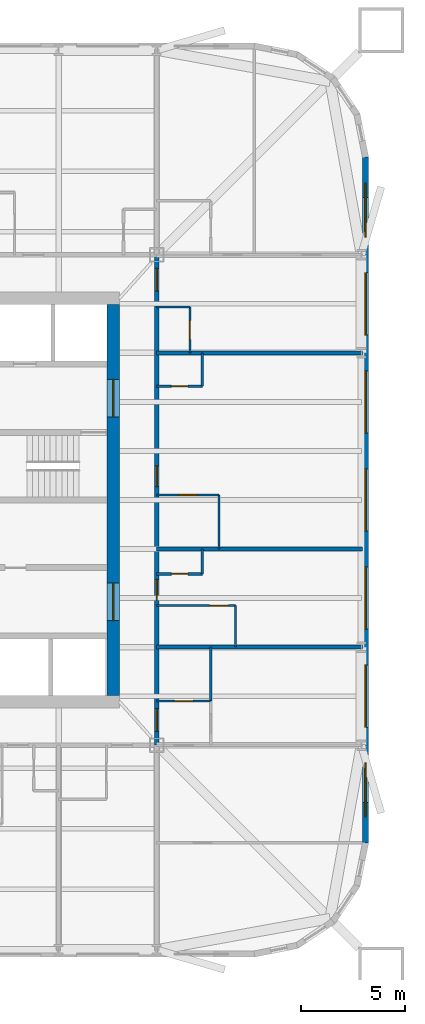
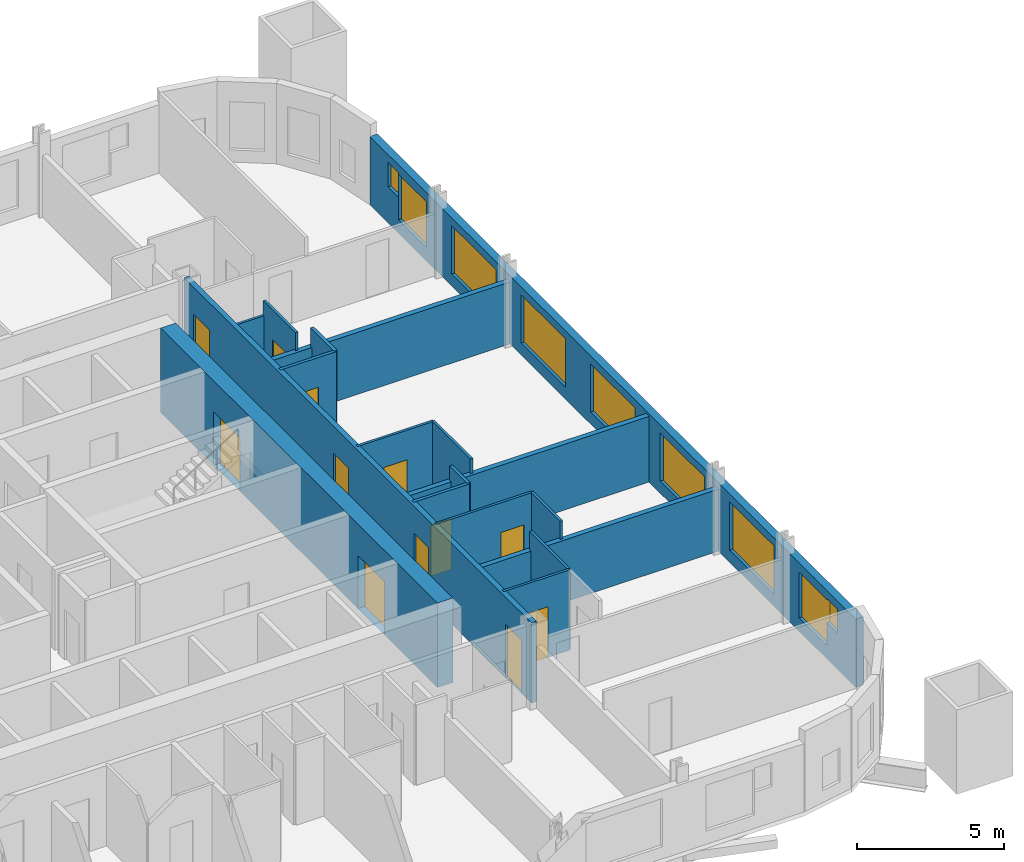
# One storey, part 6 of 10: 18 walls, 12 doors, 9 windows, 21 openings.
"""IFC4 building model written with IfcOpenShell, lengths in metres."""

from ifc_helpers import new_model, si_unit, direction, frame, frame_2d, origin, place, context, subcontext, project, spatial, rectangle, extrude, material, layer, layer_set, type_object, element, fill, save


model = new_model("IFC4")

# Units and contexts
model_context = context("Model", 3, precision=1e-05, world=origin(), true_north=direction((0.0, 1.0)))
body_context = subcontext(model_context, "Body", "Model", "MODEL_VIEW")
ifc_project = project(units=[si_unit("LENGTHUNIT", "METRE"), si_unit("AREAUNIT", "SQUARE_METRE"), si_unit("VOLUMEUNIT", "CUBIC_METRE"), si_unit("PLANEANGLEUNIT", "RADIAN"), si_unit("MASSUNIT", "GRAM", prefix="KILO")], contexts=[model_context])

# Site, building, storey
site_placement = place(None, origin())
site = spatial("IfcSite", under=ifc_project, at=site_placement, CompositionType="ELEMENT")
building_placement = place(site_placement, origin())
building = spatial("IfcBuilding", under=site, at=building_placement, Name="Turquesa Mirador Hotel Tower", CompositionType="ELEMENT")
storey_placement = place(building_placement, frame((0.0, 0.0, 77.5)))
storey = spatial("IfcBuildingStorey", under=building, at=storey_placement, Name="L20", CompositionType="ELEMENT", Elevation=77.5)

# Wall, opening, door
ifc_material_1 = material(Name="Gypsum board on steel studs", Category="steel")
ifc_layer_1 = layer(ifc_material_1, 0.10009765625)
ifc_layer_set_1 = layer_set([ifc_layer_1], Name="BATHROOM WALL 100")
wall_type_1 = type_object("IfcWallType", Name="BATHROOM WALL 100", PredefinedType="PARTITIONING", material=ifc_layer_set_1)
wall_1_placement = place(storey_placement, frame((66.800048828125, 39.919921875, 0.0), z_axis=(0.0, 0.0, 1.0), x_axis=(1.0, 0.0, 0.0)))
wall_1 = element("IfcWall", 1, at=wall_1_placement, inside=storey, type_object=wall_type_1, Name="Partition L20 017", PredefinedType="PARTITIONING", context=body_context, shape_type="SweptSolid", body=[
    extrude(rectangle(XDim=3.800048828125, YDim=0.10009765625, at=frame_2d((1.89990234375, 0.0))), origin(), (0.0, 0.0, 1.0), 3.330078125),
])
opening_1_placement = place(wall_1_placement, frame((2.550048828125, 0.0, 0.0)))
opening_1 = element("IfcOpeningElement", 2, at=opening_1_placement, cuts=wall_1, Name="Opening D02", PredefinedType="OPENING", context=body_context, shape_type="SweptSolid", body=[
    extrude(rectangle(XDim=0.89990234375, YDim=2.10009765625, at=frame_2d((0.449951171875, 1.050048828125))), frame((0.0, 0.06005859375, 0.0), z_axis=(0.0, -1.0, 0.0), x_axis=(1.0, 0.0, 0.0)), (0.0, 0.0, 1.0), 0.1201171875),
])
ifc_material_2 = material(Name="Timber veneered door", Category="wood")
door_type_1 = type_object("IfcDoorType", Name="DOOR 900X2100 EN-SUITE", OperationType="SINGLE_SWING_RIGHT", PredefinedType="DOOR", material=ifc_material_2)
door_1_placement = place(opening_1_placement, origin())
door_1 = element("IfcDoor", 3, at=door_1_placement, inside=storey, type_object=door_type_1, Name="Door 2008B", OperationType="SINGLE_SWING_RIGHT", OverallHeight=2.10009765625, OverallWidth=0.89990234375, PredefinedType="DOOR", context=body_context, shape_type="SweptSolid", body=[
    extrude(rectangle(XDim=0.89990234375, YDim=2.10009765625, at=frame_2d((0.449951171875, 1.050048828125))), frame((0.0, 0.02490234375, 0.0), z_axis=(0.0, -1.0, 0.0), x_axis=(1.0, 0.0, 0.0)), (0.0, 0.0, 1.0), 0.050048828125),
])
fill(opening_1, door_1)

wall_2_placement = place(storey_placement, frame((66.800048828125, 35.320068359375, 0.0), z_axis=(0.0, 0.0, 1.0), x_axis=(1.0, 0.0, 0.0)))
wall_2 = element("IfcWall", 4, at=wall_2_placement, inside=storey, type_object=wall_type_1, Name="Partition L20 021", PredefinedType="PARTITIONING", context=body_context, shape_type="SweptSolid", body=[
    extrude(rectangle(XDim=2.599853515625, YDim=0.10009765625, at=frame_2d((1.2998046875, 0.0))), origin(), (0.0, 0.0, 1.0), 3.330078125),
])
opening_2_placement = place(wall_2_placement, frame((0.85009765625, 0.0, 0.0)))
opening_2 = element("IfcOpeningElement", 5, at=opening_2_placement, cuts=wall_2, Name="Opening D02", PredefinedType="OPENING", context=body_context, shape_type="SweptSolid", body=[
    extrude(rectangle(XDim=0.89990234375, YDim=2.10009765625, at=frame_2d((0.449951171875, 1.050048828125))), frame((0.0, 0.06005859375, 0.0), z_axis=(0.0, -1.0, 0.0), x_axis=(1.0, 0.0, 0.0)), (0.0, 0.0, 1.0), 0.1201171875),
])
door_2_placement = place(opening_2_placement, origin())
door_2 = element("IfcDoor", 6, at=door_2_placement, inside=storey, type_object=door_type_1, Name="Door 2015B", OperationType="SINGLE_SWING_RIGHT", OverallHeight=2.10009765625, OverallWidth=0.89990234375, PredefinedType="DOOR", context=body_context, shape_type="SweptSolid", body=[
    extrude(rectangle(XDim=0.89990234375, YDim=2.10009765625, at=frame_2d((0.449951171875, 1.050048828125))), frame((0.0, 0.02490234375, 0.0), z_axis=(0.0, -1.0, 0.0), x_axis=(1.0, 0.0, 0.0)), (0.0, 0.0, 1.0), 0.050048828125),
])
fill(opening_2, door_2)

wall_3_placement = place(storey_placement, frame((66.800048828125, 45.239990234375, 0.0), z_axis=(0.0, 0.0, 1.0), x_axis=(1.0, 0.0, 0.0)))
wall_3 = element("IfcWall", 7, at=wall_3_placement, inside=storey, type_object=wall_type_1, Name="Partition L20 023", PredefinedType="PARTITIONING", context=body_context, shape_type="SweptSolid", body=[
    extrude(rectangle(XDim=3.0, YDim=0.10009765625, at=frame_2d((1.5, 0.0))), origin(), (0.0, 0.0, 1.0), 3.330078125),
])
opening_3_placement = place(wall_3_placement, frame((1.050048828125, 0.0, 0.0)))
opening_3 = element("IfcOpeningElement", 8, at=opening_3_placement, cuts=wall_3, Name="Opening D02", PredefinedType="OPENING", context=body_context, shape_type="SweptSolid", body=[
    extrude(rectangle(XDim=0.89990234375, YDim=2.10009765625, at=frame_2d((0.449951171875, 1.050048828125))), frame((0.0, 0.06005859375, 0.0), z_axis=(0.0, -1.0, 0.0), x_axis=(1.0, 0.0, 0.0)), (0.0, 0.0, 1.0), 0.1201171875),
])
door_3_placement = place(opening_3_placement, origin())
door_3 = element("IfcDoor", 9, at=door_3_placement, inside=storey, type_object=door_type_1, Name="Door 2009B", OperationType="SINGLE_SWING_RIGHT", OverallHeight=2.10009765625, OverallWidth=0.89990234375, PredefinedType="DOOR", context=body_context, shape_type="SweptSolid", body=[
    extrude(rectangle(XDim=0.89990234375, YDim=2.10009765625, at=frame_2d((0.449951171875, 1.050048828125))), frame((0.0, 0.02490234375, 0.0), z_axis=(0.0, -1.0, 0.0), x_axis=(1.0, 0.0, 0.0)), (0.0, 0.0, 1.0), 0.050048828125),
])
fill(opening_3, door_3)

# Wall
wall_4_placement = place(storey_placement, frame((66.800048828125, 54.280029296875, 0.0), z_axis=(0.0, 0.0, 1.0), x_axis=(1.0, 0.0, 0.0)))
element("IfcWall", 10, at=wall_4_placement, inside=storey, type_object=wall_type_1, Name="Partition L20 039", PredefinedType="PARTITIONING", context=body_context, shape_type="SweptSolid", body=[
    extrude(rectangle(XDim=1.599853515625, YDim=0.10009765625, at=frame_2d((0.7998046875, 0.0))), origin(), (0.0, 0.0, 1.0), 2.722900390625),
])

# Wall, opening, door
wall_5_placement = place(storey_placement, frame((68.39990234375, 52.080078125, 0.0), z_axis=(0.0, 0.0, 1.0), x_axis=(0.0, 1.0, 0.0)))
wall_5 = element("IfcWall", 11, at=wall_5_placement, inside=storey, type_object=wall_type_1, Name="Partition L20 064", PredefinedType="PARTITIONING", context=body_context, shape_type="SweptSolid", body=[
    extrude(rectangle(XDim=2.199951171875, YDim=0.10009765625, at=frame_2d((1.10009765625, 0.0))), origin(), (0.0, 0.0, 1.0), 3.330078125),
])
opening_4_placement = place(wall_5_placement, frame((0.64990234375, 0.0, 0.0)))
opening_4 = element("IfcOpeningElement", 12, at=opening_4_placement, cuts=wall_5, Name="Opening D06", PredefinedType="OPENING", context=body_context, shape_type="SweptSolid", body=[
    extrude(rectangle(XDim=0.89990234375, YDim=2.10009765625, at=frame_2d((0.449951171875, 1.050048828125))), frame((0.0, 0.06005859375, 0.0), z_axis=(0.0, -1.0, 0.0), x_axis=(1.0, 0.0, 0.0)), (0.0, 0.0, 1.0), 0.1201171875),
])
ifc_material_3 = material(Name="Laminate door", Category="wood")
door_type_2 = type_object("IfcDoorType", Name="DOOR 900X2100 WC", OperationType="SINGLE_SWING_LEFT", PredefinedType="DOOR", material=ifc_material_3)
door_4_placement = place(opening_4_placement, origin())
door_4 = element("IfcDoor", 13, at=door_4_placement, inside=storey, type_object=door_type_2, Name="Door 2012W", OperationType="SINGLE_SWING_LEFT", OverallHeight=2.10009765625, OverallWidth=0.89990234375, PredefinedType="DOOR", context=body_context, shape_type="SweptSolid", body=[
    extrude(rectangle(XDim=0.89990234375, YDim=2.10009765625, at=frame_2d((0.449951171875, 1.050048828125))), frame((0.0, 0.02490234375, 0.0), z_axis=(0.0, -1.0, 0.0), x_axis=(1.0, 0.0, 0.0)), (0.0, 0.0, 1.0), 0.050048828125),
])
fill(opening_4, door_4)

# Walls
wall_6_placement = place(storey_placement, frame((69.39990234375, 35.320068359375, 0.0), z_axis=(0.0, 0.0, 1.0), x_axis=(0.0, 1.0, 0.0)))
element("IfcWall", 14, at=wall_6_placement, inside=storey, type_object=wall_type_1, Name="Partition L20 067", PredefinedType="PARTITIONING", context=body_context, shape_type="SweptSolid", body=[
    extrude(rectangle(XDim=2.599853515625, YDim=0.10009765625, at=frame_2d((1.2998046875, 0.0))), origin(), (0.0, 0.0, 1.0), 3.330078125),
])
wall_7_placement = place(storey_placement, frame((69.800048828125, 42.639892578125, 0.0), z_axis=(0.0, 0.0, 1.0), x_axis=(0.0, 1.0, 0.0)))
element("IfcWall", 15, at=wall_7_placement, inside=storey, type_object=wall_type_1, Name="Partition L20 070", PredefinedType="PARTITIONING", context=body_context, shape_type="SweptSolid", body=[
    extrude(rectangle(XDim=2.60009765625, YDim=0.10009765625, at=frame_2d((1.300048828125, 0.0))), origin(), (0.0, 0.0, 1.0), 3.330078125),
])
wall_8_placement = place(storey_placement, frame((70.60009765625, 37.919921875, 0.0), z_axis=(0.0, 0.0, 1.0), x_axis=(0.0, 1.0, 0.0)))
element("IfcWall", 16, at=wall_8_placement, inside=storey, type_object=wall_type_1, Name="Partition L20 071", PredefinedType="PARTITIONING", context=body_context, shape_type="SweptSolid", body=[
    extrude(rectangle(XDim=2.0, YDim=0.10009765625, at=frame_2d((1.0, 0.0))), origin(), (0.0, 0.0, 1.0), 3.330078125),
])

# Wall, openings, doors
ifc_material_4 = material(Name="Concrete C50/60", Category="concrete")
ifc_layer_2 = layer(ifc_material_4, 0.60009765625)
ifc_layer_set_2 = layer_set([ifc_layer_2], Name="CORE WALL 600")
wall_type_2 = type_object("IfcWallType", Name="CORE WALL 600", PredefinedType="SHEAR", material=ifc_layer_set_2)
wall_9_placement = place(storey_placement, frame((64.699951171875, 35.60009765625, 0.0), z_axis=(0.0, 0.0, 1.0), x_axis=(0.0, 1.0, 0.0)))
wall_9 = element("IfcWall", 17, at=wall_9_placement, inside=storey, type_object=wall_type_2, Name="Core wall E", PredefinedType="SHEAR", context=body_context, shape_type="SweptSolid", body=[
    extrude(rectangle(XDim=18.7998046875, YDim=0.60009765625, at=frame_2d((9.39990234375, 0.0))), origin(), (0.0, 0.0, 1.0), 3.5),
])
opening_5_placement = place(wall_9_placement, frame((13.39990234375, 0.0, 0.0)))
opening_5 = element("IfcOpeningElement", 18, at=opening_5_placement, cuts=wall_9, Name="Opening D04", PredefinedType="OPENING", context=body_context, shape_type="SweptSolid", body=[
    extrude(rectangle(XDim=1.800048828125, YDim=2.199951171875, at=frame_2d((0.89990234375, 1.10009765625))), frame((0.0, 0.31005859375, 0.0), z_axis=(0.0, -1.0, 0.0), x_axis=(1.0, 0.0, 0.0)), (0.0, 0.0, 1.0), 0.6201171875),
])
opening_6_placement = place(wall_9_placement, frame((3.60009765625, 0.0, 0.0)))
opening_6 = element("IfcOpeningElement", 19, at=opening_6_placement, cuts=wall_9, Name="Opening D04", PredefinedType="OPENING", context=body_context, shape_type="SweptSolid", body=[
    extrude(rectangle(XDim=1.800048828125, YDim=2.199951171875, at=frame_2d((0.89990234375, 1.10009765625))), frame((0.0, 0.31005859375, 0.0), z_axis=(0.0, -1.0, 0.0), x_axis=(1.0, 0.0, 0.0)), (0.0, 0.0, 1.0), 0.6201171875),
])
ifc_material_5 = material(Name="Steel fire door pair", Category="steel")
door_type_3 = type_object("IfcDoorType", Name="DOOR 1800X2200 PAIR", OperationType="DOUBLE_DOOR_SINGLE_SWING", PredefinedType="DOOR", material=ifc_material_5)
door_5_placement = place(opening_5_placement, origin())
door_5 = element("IfcDoor", 20, at=door_5_placement, inside=storey, type_object=door_type_3, Name="Firefighting lobby door", OperationType="DOUBLE_DOOR_SINGLE_SWING", OverallHeight=2.199951171875, OverallWidth=1.800048828125, PredefinedType="DOOR", context=body_context, shape_type="SweptSolid", body=[
    extrude(rectangle(XDim=1.800048828125, YDim=2.199951171875, at=frame_2d((0.89990234375, 1.10009765625))), frame((0.0, 0.02490234375, 0.0), z_axis=(0.0, -1.0, 0.0), x_axis=(1.0, 0.0, 0.0)), (0.0, 0.0, 1.0), 0.050048828125),
])
fill(opening_5, door_5)
door_6_placement = place(opening_6_placement, origin())
door_6 = element("IfcDoor", 21, at=door_6_placement, inside=storey, type_object=door_type_3, Name="South lift lobby door", OperationType="DOUBLE_DOOR_SINGLE_SWING", OverallHeight=2.199951171875, OverallWidth=1.800048828125, PredefinedType="DOOR", context=body_context, shape_type="SweptSolid", body=[
    extrude(rectangle(XDim=1.800048828125, YDim=2.199951171875, at=frame_2d((0.89990234375, 1.10009765625))), frame((0.0, 0.02490234375, 0.0), z_axis=(0.0, -1.0, 0.0), x_axis=(1.0, 0.0, 0.0)), (0.0, 0.0, 1.0), 0.050048828125),
])
fill(opening_6, door_6)

ifc_material_6 = material(Name="Fire-rated gypsum board on steel studs", Category="steel")
ifc_layer_3 = layer(ifc_material_6, 0.199951171875)
ifc_layer_set_3 = layer_set([ifc_layer_3], Name="CORRIDOR WALL 200")
wall_type_3 = type_object("IfcWallType", Name="CORRIDOR WALL 200", PredefinedType="PARTITIONING", material=ifc_layer_set_3)
wall_10_placement = place(storey_placement, frame((66.800048828125, 33.199951171875, 0.0), z_axis=(0.0, 0.0, 1.0), x_axis=(0.0, 1.0, 0.0)))
wall_10 = element("IfcWall", 22, at=wall_10_placement, inside=storey, type_object=wall_type_3, Name="Partition L20 061", PredefinedType="PARTITIONING", context=body_context, shape_type="SweptSolid", body=[
    extrude(rectangle(XDim=23.60009765625, YDim=0.199951171875, at=frame_2d((11.800048828125, 0.0))), origin(), (0.0, 0.0, 1.0), 3.330078125),
])
opening_7_placement = place(wall_10_placement, frame((6.97998046875, 0.0, 0.0)))
opening_7 = element("IfcOpeningElement", 23, at=opening_7_placement, cuts=wall_10, Name="Opening D01", PredefinedType="OPENING", context=body_context, shape_type="SweptSolid", body=[
    extrude(rectangle(XDim=1.0, YDim=2.199951171875, at=frame_2d((0.5, 1.10009765625))), frame((0.0, 0.10986328125, 0.0), z_axis=(0.0, -1.0, 0.0), x_axis=(1.0, 0.0, 0.0)), (0.0, 0.0, 1.0), 0.219970703125),
])
opening_8_placement = place(wall_10_placement, frame((12.43994140625, 0.0, 0.0)))
opening_8 = element("IfcOpeningElement", 24, at=opening_8_placement, cuts=wall_10, Name="Opening D01", PredefinedType="OPENING", context=body_context, shape_type="SweptSolid", body=[
    extrude(rectangle(XDim=1.0, YDim=2.199951171875, at=frame_2d((0.5, 1.10009765625))), frame((0.0, 0.10986328125, 0.0), z_axis=(0.0, -1.0, 0.0), x_axis=(1.0, 0.0, 0.0)), (0.0, 0.0, 1.0), 0.219970703125),
])
opening_9_placement = place(wall_10_placement, frame((21.85009765625, 0.0, 0.0)))
opening_9 = element("IfcOpeningElement", 25, at=opening_9_placement, cuts=wall_10, Name="Opening D15", PredefinedType="OPENING", context=body_context, shape_type="SweptSolid", body=[
    extrude(rectangle(XDim=1.10009765625, YDim=2.199951171875, at=frame_2d((0.550048828125, 1.10009765625))), frame((0.0, 0.10986328125, 0.0), z_axis=(0.0, -1.0, 0.0), x_axis=(1.0, 0.0, 0.0)), (0.0, 0.0, 1.0), 0.219970703125),
])
opening_10_placement = place(wall_10_placement, frame((0.659912109375, 0.0, 0.0)))
opening_10 = element("IfcOpeningElement", 26, at=opening_10_placement, cuts=wall_10, Name="Opening D15", PredefinedType="OPENING", context=body_context, shape_type="SweptSolid", body=[
    extrude(rectangle(XDim=1.10009765625, YDim=2.199951171875, at=frame_2d((0.550048828125, 1.10009765625))), frame((0.0, 0.10986328125, 0.0), z_axis=(0.0, -1.0, 0.0), x_axis=(1.0, 0.0, 0.0)), (0.0, 0.0, 1.0), 0.219970703125),
])
ifc_material_7 = material(Name="Timber veneered fire door", Category="wood")
door_type_4 = type_object("IfcDoorType", Name="DOOR 1000X2200 GUEST ENTRY", OperationType="SINGLE_SWING_LEFT", PredefinedType="DOOR", material=ifc_material_7)
door_7_placement = place(opening_7_placement, origin())
door_7 = element("IfcDoor", 27, at=door_7_placement, inside=storey, type_object=door_type_4, Name="Door 2008", OperationType="SINGLE_SWING_LEFT", OverallHeight=2.199951171875, OverallWidth=1.0, PredefinedType="DOOR", context=body_context, shape_type="SweptSolid", body=[
    extrude(rectangle(XDim=1.0, YDim=2.199951171875, at=frame_2d((0.5, 1.10009765625))), frame((0.0, 0.02490234375, 0.0), z_axis=(0.0, -1.0, 0.0), x_axis=(1.0, 0.0, 0.0)), (0.0, 0.0, 1.0), 0.050048828125),
])
fill(opening_7, door_7)
door_8_placement = place(opening_8_placement, origin())
door_8 = element("IfcDoor", 28, at=door_8_placement, inside=storey, type_object=door_type_4, Name="Door 2009", OperationType="SINGLE_SWING_LEFT", OverallHeight=2.199951171875, OverallWidth=1.0, PredefinedType="DOOR", context=body_context, shape_type="SweptSolid", body=[
    extrude(rectangle(XDim=1.0, YDim=2.199951171875, at=frame_2d((0.5, 1.10009765625))), frame((0.0, 0.02490234375, 0.0), z_axis=(0.0, -1.0, 0.0), x_axis=(1.0, 0.0, 0.0)), (0.0, 0.0, 1.0), 0.050048828125),
])
fill(opening_8, door_8)
ifc_material_8 = material(Name="Timber veneered fire door", Category="wood")
door_type_5 = type_object("IfcDoorType", Name="DOOR 1100X2200 SUITE ENTRY", OperationType="SINGLE_SWING_LEFT", PredefinedType="DOOR", material=ifc_material_8)
door_9_placement = place(opening_9_placement, origin())
door_9 = element("IfcDoor", 29, at=door_9_placement, inside=storey, type_object=door_type_5, Name="Door 2012", OperationType="SINGLE_SWING_LEFT", OverallHeight=2.199951171875, OverallWidth=1.10009765625, PredefinedType="DOOR", context=body_context, shape_type="SweptSolid", body=[
    extrude(rectangle(XDim=1.10009765625, YDim=2.199951171875, at=frame_2d((0.550048828125, 1.10009765625))), frame((0.0, 0.02490234375, 0.0), z_axis=(0.0, -1.0, 0.0), x_axis=(1.0, 0.0, 0.0)), (0.0, 0.0, 1.0), 0.050048828125),
])
fill(opening_9, door_9)
door_10_placement = place(opening_10_placement, origin())
door_10 = element("IfcDoor", 30, at=door_10_placement, inside=storey, type_object=door_type_5, Name="Door 2015H", OperationType="SINGLE_SWING_LEFT", OverallHeight=2.199951171875, OverallWidth=1.10009765625, PredefinedType="DOOR", context=body_context, shape_type="SweptSolid", body=[
    extrude(rectangle(XDim=1.10009765625, YDim=2.199951171875, at=frame_2d((0.550048828125, 1.10009765625))), frame((0.0, 0.02490234375, 0.0), z_axis=(0.0, -1.0, 0.0), x_axis=(1.0, 0.0, 0.0)), (0.0, 0.0, 1.0), 0.050048828125),
])
fill(opening_10, door_10)

# Wall, openings, windows
ifc_material_9 = material(Name="Limestone cladding on concrete block", Category="masonry")
ifc_layer_4 = layer(ifc_material_9, 0.300048828125)
ifc_layer_set_4 = layer_set([ifc_layer_4], Name="FACADE WALL 300 STONE SCREEN")
wall_type_4 = type_object("IfcWallType", Name="FACADE WALL 300 STONE SCREEN", PredefinedType="SOLIDWALL", material=ifc_layer_set_4)
wall_11_placement = place(storey_placement, frame((76.85009765625, 28.5, 0.0), z_axis=(0.0, 0.0, 1.0), x_axis=(0.0, 1.0, 0.0)))
wall_11 = element("IfcWall", 31, at=wall_11_placement, inside=storey, type_object=wall_type_4, Name="Facade wall L20 04", PredefinedType="SOLIDWALL", context=body_context, shape_type="SweptSolid", body=[
    extrude(rectangle(XDim=33.0, YDim=0.300048828125, at=frame_2d((16.5, 0.0))), origin(), (0.0, 0.0, 1.0), 2.830078125),
])
opening_11_placement = place(wall_11_placement, frame((1.949951171875, 0.0, 0.550048828125)))
opening_11 = element("IfcOpeningElement", 32, at=opening_11_placement, cuts=wall_11, Name="Opening WN48", PredefinedType="OPENING", context=body_context, shape_type="SweptSolid", body=[
    extrude(rectangle(XDim=1.89990234375, YDim=1.89990234375, at=frame_2d((0.949951171875, 0.949951171875))), frame((0.0, 0.159912109375, 0.0), z_axis=(0.0, -1.0, 0.0), x_axis=(1.0, 0.0, 0.0)), (0.0, 0.0, 1.0), 0.320068359375),
])
opening_12_placement = place(wall_11_placement, frame((5.56005859375, 0.0, 0.5)))
opening_12 = element("IfcOpeningElement", 33, at=opening_12_placement, cuts=wall_11, Name="Opening WN1", PredefinedType="OPENING", context=body_context, shape_type="SweptSolid", body=[
    extrude(rectangle(XDim=3.0, YDim=2.0, at=frame_2d((1.5, 1.0))), frame((0.0, 0.159912109375, 0.0), z_axis=(0.0, -1.0, 0.0), x_axis=(1.0, 0.0, 0.0)), (0.0, 0.0, 1.0), 0.320068359375),
])
opening_13_placement = place(wall_11_placement, frame((10.280029296875, 0.0, 0.5)))
opening_13 = element("IfcOpeningElement", 34, at=opening_13_placement, cuts=wall_11, Name="Opening WN1", PredefinedType="OPENING", context=body_context, shape_type="SweptSolid", body=[
    extrude(rectangle(XDim=3.0, YDim=2.0, at=frame_2d((1.5, 1.0))), frame((0.0, 0.159912109375, 0.0), z_axis=(0.0, -1.0, 0.0), x_axis=(1.0, 0.0, 0.0)), (0.0, 0.0, 1.0), 0.320068359375),
])
opening_14_placement = place(wall_11_placement, frame((15.0, 0.0, 0.5)))
opening_14 = element("IfcOpeningElement", 35, at=opening_14_placement, cuts=wall_11, Name="Opening WN1", PredefinedType="OPENING", context=body_context, shape_type="SweptSolid", body=[
    extrude(rectangle(XDim=3.0, YDim=2.0, at=frame_2d((1.5, 1.0))), frame((0.0, 0.159912109375, 0.0), z_axis=(0.0, -1.0, 0.0), x_axis=(1.0, 0.0, 0.0)), (0.0, 0.0, 1.0), 0.320068359375),
])
opening_15_placement = place(wall_11_placement, frame((19.719970703125, 0.0, 0.5)))
opening_15 = element("IfcOpeningElement", 36, at=opening_15_placement, cuts=wall_11, Name="Opening WN1", PredefinedType="OPENING", context=body_context, shape_type="SweptSolid", body=[
    extrude(rectangle(XDim=3.0, YDim=2.0, at=frame_2d((1.5, 1.0))), frame((0.0, 0.159912109375, 0.0), z_axis=(0.0, -1.0, 0.0), x_axis=(1.0, 0.0, 0.0)), (0.0, 0.0, 1.0), 0.320068359375),
])
opening_16_placement = place(wall_11_placement, frame((24.43994140625, 0.0, 0.5)))
opening_16 = element("IfcOpeningElement", 37, at=opening_16_placement, cuts=wall_11, Name="Opening WN1", PredefinedType="OPENING", context=body_context, shape_type="SweptSolid", body=[
    extrude(rectangle(XDim=3.0, YDim=2.0, at=frame_2d((1.5, 1.0))), frame((0.0, 0.159912109375, 0.0), z_axis=(0.0, -1.0, 0.0), x_axis=(1.0, 0.0, 0.0)), (0.0, 0.0, 1.0), 0.320068359375),
])
opening_17_placement = place(wall_11_placement, frame((29.14990234375, 0.0, 0.550048828125)))
opening_17 = element("IfcOpeningElement", 38, at=opening_17_placement, cuts=wall_11, Name="Opening WN48", PredefinedType="OPENING", context=body_context, shape_type="SweptSolid", body=[
    extrude(rectangle(XDim=1.89990234375, YDim=1.89990234375, at=frame_2d((0.949951171875, 0.949951171875))), frame((0.0, 0.159912109375, 0.0), z_axis=(0.0, -1.0, 0.0), x_axis=(1.0, 0.0, 0.0)), (0.0, 0.0, 1.0), 0.320068359375),
])
opening_18_placement = place(wall_11_placement, frame((1.25, 0.0, 1.5)))
opening_18 = element("IfcOpeningElement", 39, at=opening_18_placement, cuts=wall_11, Name="Opening WN32", PredefinedType="OPENING", context=body_context, shape_type="SweptSolid", body=[
    extrude(rectangle(XDim=0.699951171875, YDim=1.0, at=frame_2d((0.35009765625, 0.5))), frame((0.0, 0.159912109375, 0.0), z_axis=(0.0, -1.0, 0.0), x_axis=(1.0, 0.0, 0.0)), (0.0, 0.0, 1.0), 0.320068359375),
])
opening_19_placement = place(wall_11_placement, frame((31.050048828125, 0.0, 1.5)))
opening_19 = element("IfcOpeningElement", 40, at=opening_19_placement, cuts=wall_11, Name="Opening WN32", PredefinedType="OPENING", context=body_context, shape_type="SweptSolid", body=[
    extrude(rectangle(XDim=0.699951171875, YDim=1.0, at=frame_2d((0.35009765625, 0.5))), frame((0.0, 0.159912109375, 0.0), z_axis=(0.0, -1.0, 0.0), x_axis=(1.0, 0.0, 0.0)), (0.0, 0.0, 1.0), 0.320068359375),
])
ifc_material_10 = material(Name="Ceramic-fritted laminated glass", Category="glass")
window_type_1 = type_object("IfcWindowType", Name="FRITTED WINDOW 1900X1900", PartitioningType="DOUBLE_PANEL_HORIZONTAL", PredefinedType="WINDOW", material=ifc_material_10)
window_1_placement = place(opening_11_placement, origin())
window_1 = element("IfcWindow", 41, at=window_1_placement, inside=storey, type_object=window_type_1, Name="Window L20", OverallHeight=1.89990234375, OverallWidth=1.89990234375, PartitioningType="SINGLE_PANEL", PredefinedType="WINDOW", context=body_context, shape_type="SweptSolid", body=[
    extrude(rectangle(XDim=1.89990234375, YDim=1.89990234375, at=frame_2d((0.949951171875, 0.949951171875))), frame((0.0, 0.030029296875, 0.0), z_axis=(0.0, -1.0, 0.0), x_axis=(1.0, 0.0, 0.0)), (0.0, 0.0, 1.0), 0.06005859375),
])
fill(opening_11, window_1)
window_2_placement = place(opening_17_placement, origin())
window_2 = element("IfcWindow", 42, at=window_2_placement, inside=storey, type_object=window_type_1, Name="Window L20", OverallHeight=1.89990234375, OverallWidth=1.89990234375, PartitioningType="SINGLE_PANEL", PredefinedType="WINDOW", context=body_context, shape_type="SweptSolid", body=[
    extrude(rectangle(XDim=1.89990234375, YDim=1.89990234375, at=frame_2d((0.949951171875, 0.949951171875))), frame((0.0, 0.030029296875, 0.0), z_axis=(0.0, -1.0, 0.0), x_axis=(1.0, 0.0, 0.0)), (0.0, 0.0, 1.0), 0.06005859375),
])
fill(opening_17, window_2)
ifc_material_11 = material(Name="Ceramic-fritted laminated glass", Category="glass")
window_type_2 = type_object("IfcWindowType", Name="FRITTED WINDOW 3000X2000", PartitioningType="DOUBLE_PANEL_HORIZONTAL", PredefinedType="WINDOW", material=ifc_material_11)
window_3_placement = place(opening_12_placement, origin())
window_3 = element("IfcWindow", 43, at=window_3_placement, inside=storey, type_object=window_type_2, Name="Window L20", OverallHeight=2.0, OverallWidth=3.0, PartitioningType="SINGLE_PANEL", PredefinedType="WINDOW", context=body_context, shape_type="SweptSolid", body=[
    extrude(rectangle(XDim=3.0, YDim=2.0, at=frame_2d((1.5, 1.0))), frame((0.0, 0.030029296875, 0.0), z_axis=(0.0, -1.0, 0.0), x_axis=(1.0, 0.0, 0.0)), (0.0, 0.0, 1.0), 0.06005859375),
])
fill(opening_12, window_3)
window_4_placement = place(opening_13_placement, origin())
window_4 = element("IfcWindow", 44, at=window_4_placement, inside=storey, type_object=window_type_2, Name="Window L20", OverallHeight=2.0, OverallWidth=3.0, PartitioningType="SINGLE_PANEL", PredefinedType="WINDOW", context=body_context, shape_type="SweptSolid", body=[
    extrude(rectangle(XDim=3.0, YDim=2.0, at=frame_2d((1.5, 1.0))), frame((0.0, 0.030029296875, 0.0), z_axis=(0.0, -1.0, 0.0), x_axis=(1.0, 0.0, 0.0)), (0.0, 0.0, 1.0), 0.06005859375),
])
fill(opening_13, window_4)
window_5_placement = place(opening_14_placement, origin())
window_5 = element("IfcWindow", 45, at=window_5_placement, inside=storey, type_object=window_type_2, Name="Window L20", OverallHeight=2.0, OverallWidth=3.0, PartitioningType="SINGLE_PANEL", PredefinedType="WINDOW", context=body_context, shape_type="SweptSolid", body=[
    extrude(rectangle(XDim=3.0, YDim=2.0, at=frame_2d((1.5, 1.0))), frame((0.0, 0.030029296875, 0.0), z_axis=(0.0, -1.0, 0.0), x_axis=(1.0, 0.0, 0.0)), (0.0, 0.0, 1.0), 0.06005859375),
])
fill(opening_14, window_5)
window_6_placement = place(opening_15_placement, origin())
window_6 = element("IfcWindow", 46, at=window_6_placement, inside=storey, type_object=window_type_2, Name="Window L20", OverallHeight=2.0, OverallWidth=3.0, PartitioningType="SINGLE_PANEL", PredefinedType="WINDOW", context=body_context, shape_type="SweptSolid", body=[
    extrude(rectangle(XDim=3.0, YDim=2.0, at=frame_2d((1.5, 1.0))), frame((0.0, 0.030029296875, 0.0), z_axis=(0.0, -1.0, 0.0), x_axis=(1.0, 0.0, 0.0)), (0.0, 0.0, 1.0), 0.06005859375),
])
fill(opening_15, window_6)
window_7_placement = place(opening_16_placement, origin())
window_7 = element("IfcWindow", 47, at=window_7_placement, inside=storey, type_object=window_type_2, Name="Window L20", OverallHeight=2.0, OverallWidth=3.0, PartitioningType="SINGLE_PANEL", PredefinedType="WINDOW", context=body_context, shape_type="SweptSolid", body=[
    extrude(rectangle(XDim=3.0, YDim=2.0, at=frame_2d((1.5, 1.0))), frame((0.0, 0.030029296875, 0.0), z_axis=(0.0, -1.0, 0.0), x_axis=(1.0, 0.0, 0.0)), (0.0, 0.0, 1.0), 0.06005859375),
])
fill(opening_16, window_7)
ifc_material_12 = material(Name="Ceramic-fritted laminated glass", Category="glass")
window_type_3 = type_object("IfcWindowType", Name="FRITTED WINDOW 700X1000", PartitioningType="DOUBLE_PANEL_HORIZONTAL", PredefinedType="WINDOW", material=ifc_material_12)
window_8_placement = place(opening_18_placement, origin())
window_8 = element("IfcWindow", 48, at=window_8_placement, inside=storey, type_object=window_type_3, Name="Window L20", OverallHeight=1.0, OverallWidth=0.699951171875, PartitioningType="SINGLE_PANEL", PredefinedType="WINDOW", context=body_context, shape_type="SweptSolid", body=[
    extrude(rectangle(XDim=0.699951171875, YDim=1.0, at=frame_2d((0.35009765625, 0.5))), frame((0.0, 0.030029296875, 0.0), z_axis=(0.0, -1.0, 0.0), x_axis=(1.0, 0.0, 0.0)), (0.0, 0.0, 1.0), 0.06005859375),
])
fill(opening_18, window_8)
window_9_placement = place(opening_19_placement, origin())
window_9 = element("IfcWindow", 49, at=window_9_placement, inside=storey, type_object=window_type_3, Name="Window L20", OverallHeight=1.0, OverallWidth=0.699951171875, PartitioningType="SINGLE_PANEL", PredefinedType="WINDOW", context=body_context, shape_type="SweptSolid", body=[
    extrude(rectangle(XDim=0.699951171875, YDim=1.0, at=frame_2d((0.35009765625, 0.5))), frame((0.0, 0.030029296875, 0.0), z_axis=(0.0, -1.0, 0.0), x_axis=(1.0, 0.0, 0.0)), (0.0, 0.0, 1.0), 0.06005859375),
])
fill(opening_19, window_9)

# Walls
ifc_material_13 = material(Name="Fire-rated gypsum board on steel studs", Category="steel")
ifc_layer_5 = layer(ifc_material_13, 0.199951171875)
ifc_layer_set_5 = layer_set([ifc_layer_5], Name="PARTY WALL 200")
wall_type_5 = type_object("IfcWallType", Name="PARTY WALL 200", PredefinedType="PARTITIONING", material=ifc_layer_set_5)
wall_12_placement = place(storey_placement, frame((66.800048828125, 42.639892578125, 0.0), z_axis=(0.0, 0.0, 1.0), x_axis=(1.0, 0.0, 0.0)))
element("IfcWall", 50, at=wall_12_placement, inside=storey, type_object=wall_type_5, Name="Partition L20 014", PredefinedType="PARTITIONING", context=body_context, shape_type="SweptSolid", body=[
    extrude(rectangle(XDim=9.89990234375, YDim=0.199951171875, at=frame_2d((4.949951171875, 0.0))), origin(), (0.0, 0.0, 1.0), 2.722900390625),
])
for number, where, z_axis, x_axis, name in (
    (51, (66.800048828125, 37.919921875, 0.0), (0.0, 0.0, 1.0), (1.0, 0.0, 0.0), "Partition L20 019"),
    (52, (66.800048828125, 52.080078125, 0.0), (0.0, 0.0, 1.0), (1.0, 0.0, 0.0), "Partition L20 037"),
):
    element("IfcWall", number, at=place(storey_placement, frame(where, z_axis=z_axis, x_axis=x_axis)), inside=storey, type_object=wall_type_5, Name=name, PredefinedType="PARTITIONING", context=body_context, shape_type="SweptSolid", body=[
        extrude(rectangle(XDim=9.89990234375, YDim=0.199951171875, at=frame_2d((4.949951171875, 0.0))), origin(), (0.0, 0.0, 1.0), 2.572998046875),
    ])

# Wall, opening, door
ifc_material_14 = material(Name="Acoustic gypsum board on steel studs", Category="steel")
ifc_layer_6 = layer(ifc_material_14, 0.125)
ifc_layer_set_6 = layer_set([ifc_layer_6], Name="SUITE PARTITION 125")
wall_type_6 = type_object("IfcWallType", Name="SUITE PARTITION 125", PredefinedType="PARTITIONING", material=ifc_layer_set_6)
wall_13_placement = place(storey_placement, frame((66.800048828125, 41.43994140625, 0.0), z_axis=(0.0, 0.0, 1.0), x_axis=(1.0, 0.0, 0.0)))
wall_13 = element("IfcWall", 53, at=wall_13_placement, inside=storey, type_object=wall_type_6, Name="Partition L20 015", PredefinedType="PARTITIONING", context=body_context, shape_type="SweptSolid", body=[
    extrude(rectangle(XDim=2.199951171875, YDim=0.125, at=frame_2d((1.10009765625, 0.0))), origin(), (0.0, 0.0, 1.0), 3.330078125),
])
opening_20_placement = place(wall_13_placement, frame((0.699951171875, 0.0, 0.0)))
opening_20 = element("IfcOpeningElement", 54, at=opening_20_placement, cuts=wall_13, Name="Opening D20", PredefinedType="OPENING", context=body_context, shape_type="SweptSolid", body=[
    extrude(rectangle(XDim=0.800048828125, YDim=2.10009765625, at=frame_2d((0.39990234375, 1.050048828125))), frame((0.0, 0.072509765625, 0.0), z_axis=(0.0, -1.0, 0.0), x_axis=(1.0, 0.0, 0.0)), (0.0, 0.0, 1.0), 0.14501953125),
])
ifc_material_15 = material(Name="Timber veneered sliding door", Category="wood")
door_type_6 = type_object("IfcDoorType", Name="DOOR 800X2100 WARDROBE", OperationType="SLIDING_TO_LEFT", PredefinedType="DOOR", material=ifc_material_15)
door_11_placement = place(opening_20_placement, origin())
door_11 = element("IfcDoor", 55, at=door_11_placement, inside=storey, type_object=door_type_6, Name="Door 2008W", OperationType="SLIDING_TO_LEFT", OverallHeight=2.10009765625, OverallWidth=0.800048828125, PredefinedType="DOOR", context=body_context, shape_type="SweptSolid", body=[
    extrude(rectangle(XDim=0.800048828125, YDim=2.10009765625, at=frame_2d((0.39990234375, 1.050048828125))), frame((0.0, 0.02490234375, 0.0), z_axis=(0.0, -1.0, 0.0), x_axis=(1.0, 0.0, 0.0)), (0.0, 0.0, 1.0), 0.050048828125),
])
fill(opening_20, door_11)

wall_14_placement = place(storey_placement, frame((66.800048828125, 50.47998046875, 0.0), z_axis=(0.0, 0.0, 1.0), x_axis=(1.0, 0.0, 0.0)))
wall_14 = element("IfcWall", 56, at=wall_14_placement, inside=storey, type_object=wall_type_6, Name="Partition L20 035", PredefinedType="PARTITIONING", context=body_context, shape_type="SweptSolid", body=[
    extrude(rectangle(XDim=2.199951171875, YDim=0.125, at=frame_2d((1.10009765625, 0.0))), origin(), (0.0, 0.0, 1.0), 3.330078125),
])
opening_21_placement = place(wall_14_placement, frame((0.699951171875, 0.0, 0.0)))
opening_21 = element("IfcOpeningElement", 57, at=opening_21_placement, cuts=wall_14, Name="Opening D20", PredefinedType="OPENING", context=body_context, shape_type="SweptSolid", body=[
    extrude(rectangle(XDim=0.800048828125, YDim=2.10009765625, at=frame_2d((0.39990234375, 1.050048828125))), frame((0.0, 0.072509765625, 0.0), z_axis=(0.0, -1.0, 0.0), x_axis=(1.0, 0.0, 0.0)), (0.0, 0.0, 1.0), 0.14501953125),
])
door_12_placement = place(opening_21_placement, origin())
door_12 = element("IfcDoor", 58, at=door_12_placement, inside=storey, type_object=door_type_6, Name="Door 2009W", OperationType="SLIDING_TO_LEFT", OverallHeight=2.10009765625, OverallWidth=0.800048828125, PredefinedType="DOOR", context=body_context, shape_type="SweptSolid", body=[
    extrude(rectangle(XDim=0.800048828125, YDim=2.10009765625, at=frame_2d((0.39990234375, 1.050048828125))), frame((0.0, 0.02490234375, 0.0), z_axis=(0.0, -1.0, 0.0), x_axis=(1.0, 0.0, 0.0)), (0.0, 0.0, 1.0), 0.050048828125),
])
fill(opening_21, door_12)

# Walls
wall_15_placement = place(storey_placement, frame((69.0, 41.43994140625, 0.0), z_axis=(0.0, 0.0, 1.0), x_axis=(0.0, 1.0, 0.0)))
element("IfcWall", 59, at=wall_15_placement, inside=storey, type_object=wall_type_6, Name="Partition L20 065", PredefinedType="PARTITIONING", context=body_context, shape_type="SweptSolid", body=[
    extrude(rectangle(XDim=1.199951171875, YDim=0.125, at=frame_2d((0.60009765625, 0.0))), origin(), (0.0, 0.0, 1.0), 3.330078125),
])
wall_16_placement = place(storey_placement, frame((69.0, 50.47998046875, 0.0), z_axis=(0.0, 0.0, 1.0), x_axis=(0.0, 1.0, 0.0)))
element("IfcWall", 60, at=wall_16_placement, inside=storey, type_object=wall_type_6, Name="Partition L20 066", PredefinedType="PARTITIONING", context=body_context, shape_type="SweptSolid", body=[
    extrude(rectangle(XDim=1.60009765625, YDim=0.125, at=frame_2d((0.800048828125, 0.0))), origin(), (0.0, 0.0, 1.0), 3.330078125),
])

save(model, "model.ifc")
